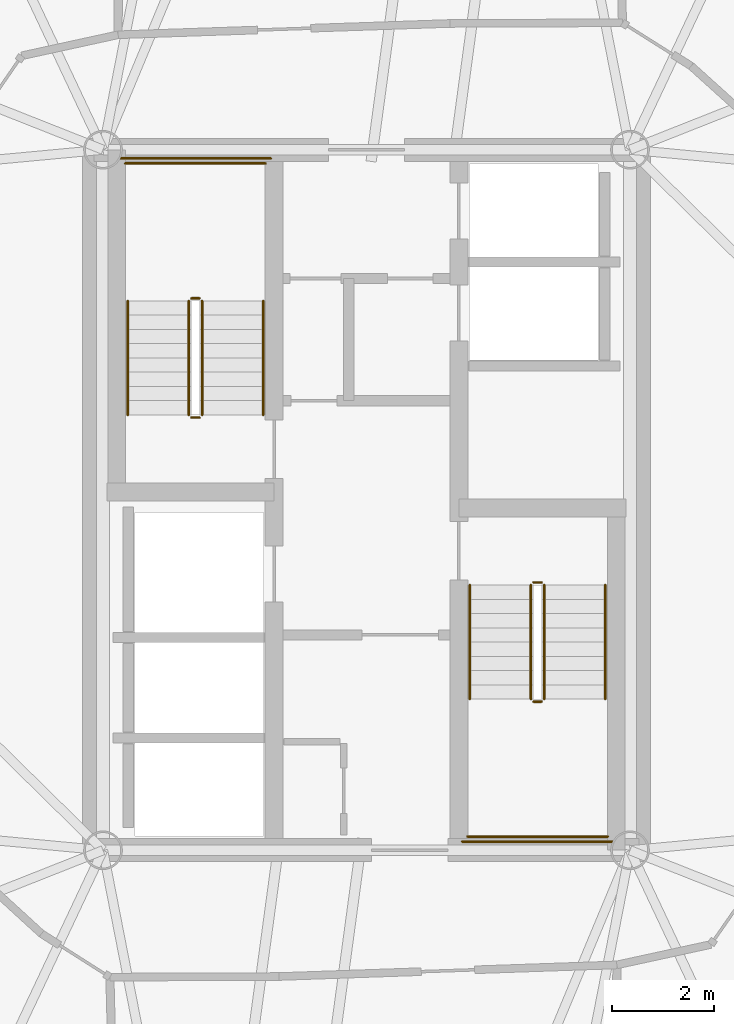
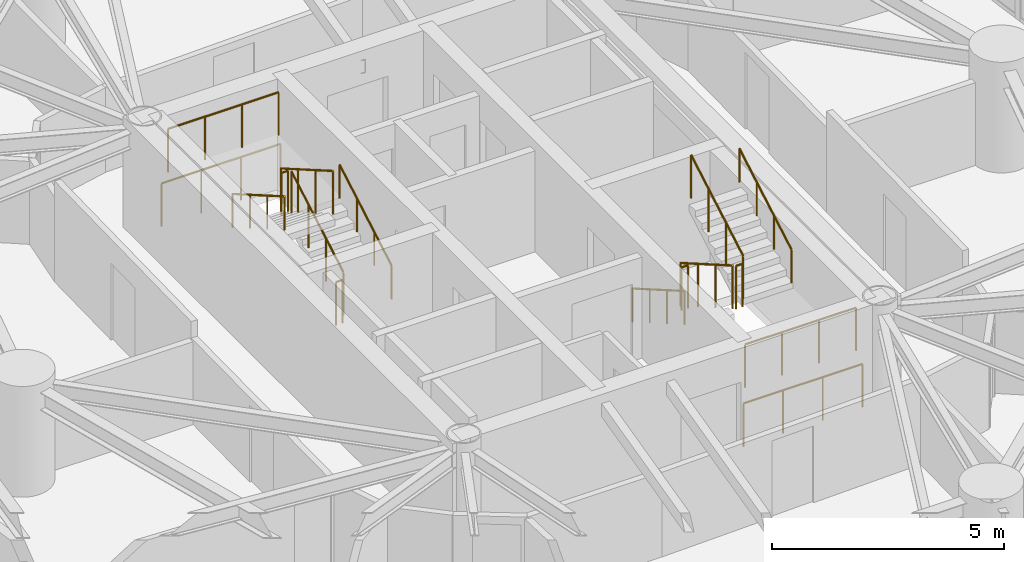
# One storey, part 16 of 17: 16 railings.
"""IFC4 building model written with IfcOpenShell, lengths in metres."""

from ifc_helpers import new_model, si_unit, direction, frame, origin, origin_2d, place, context, subcontext, project, spatial, circle, extrude, material, type_object, element, save


model = new_model("IFC4")

# Units and contexts
model_context = context("Model", 3, precision=1e-05, world=origin(), true_north=direction((0.0, 1.0)))
body_context = subcontext(model_context, "Body", "Model", "MODEL_VIEW")
ifc_project = project(units=[si_unit("LENGTHUNIT", "METRE"), si_unit("AREAUNIT", "SQUARE_METRE"), si_unit("VOLUMEUNIT", "CUBIC_METRE"), si_unit("PLANEANGLEUNIT", "RADIAN"), si_unit("MASSUNIT", "GRAM", prefix="KILO")], contexts=[model_context])

# Site, building, storey
site_placement = place(None, origin())
site = spatial("IfcSite", under=ifc_project, at=site_placement, CompositionType="ELEMENT")
building_placement = place(site_placement, origin())
building = spatial("IfcBuilding", under=site, at=building_placement, Name="Cununo Teusaquillo Station Towers", CompositionType="ELEMENT")
storey_placement = place(building_placement, frame((0.0, 0.0, 81.7900390625)))
storey = spatial("IfcBuildingStorey", under=building, at=storey_placement, Name="L25", CompositionType="ELEMENT", Elevation=81.7900390625)

# Railings
ifc_material_1 = material(Name="Steel EN 10025-2 S355J2", Category="steel")
railing_type_1 = type_object("IfcRailingType", Name="RL-INT-GUARD", PredefinedType="GUARDRAIL", material=ifc_material_1)
railing_1_placement = place(storey_placement, frame((13.27001953125, 26.169921875, 0.16162109375)))
element("IfcRailing", 1, at=railing_1_placement, inside=storey, type_object=railing_type_1, Name="L25 ST-T1-1 stair guard 1", PredefinedType="GUARDRAIL", context=body_context, shape_type="SweptSolid", body=[
    extrude(circle(Radius=0.02392578125, at=origin_2d()), frame((0.0, 0.0, 1.1259765625), z_axis=(0.0, 0.865992244559, 0.500057429065), x_axis=(-1.0, 0.0, 0.0)), (0.0, 0.0, 1.0), 2.586669921875),
    extrude(circle(Radius=0.02099609375, at=origin_2d()), origin(), (0.0, 0.0, 1.0), 1.101806640625),
    extrude(circle(Radius=0.02099609375, at=origin_2d()), frame((0.0, 0.74658203125, 0.43115234375)), (0.0, 0.0, 1.0), 1.101806640625),
    extrude(circle(Radius=0.02099609375, at=origin_2d()), frame((0.0, 1.493408203125, 0.8623046875)), (0.0, 0.0, 1.0), 1.101806640625),
    extrude(circle(Radius=0.02099609375, at=origin_2d()), frame((0.0, 2.239990234375, 1.29345703125)), (0.0, 0.0, 1.0), 1.101806640625),
])
railing_2_placement = place(storey_placement, frame((13.219970703125, 28.4599609375, 1.455078125)))
element("IfcRailing", 2, at=railing_2_placement, inside=storey, type_object=railing_type_1, Name="L25 ST-T1-1 stair guard 2", PredefinedType="GUARDRAIL", context=body_context, shape_type="SweptSolid", body=[
    extrude(circle(Radius=0.02392578125, at=origin_2d()), frame((0.0, 0.0, 1.1259765625), z_axis=(-1.0, 0.0, 0.0), x_axis=(0.0, -1.0, 0.0)), (0.0, 0.0, 1.0), 0.159912109375),
    extrude(circle(Radius=0.02099609375, at=origin_2d()), origin(), (0.0, 0.0, 1.0), 1.101806640625),
    extrude(circle(Radius=0.02099609375, at=origin_2d()), frame((-0.159912109375, 0.0, 0.0)), (0.0, 0.0, 1.0), 1.101806640625),
])
railing_3_placement = place(storey_placement, frame((14.52001953125, 31.110107421875, 1.455078125)))
element("IfcRailing", 3, at=railing_3_placement, inside=storey, type_object=railing_type_1, Name="L25 ST-T1-1 stair guard 3", PredefinedType="GUARDRAIL", context=body_context, shape_type="SweptSolid", body=[
    extrude(circle(Radius=0.02392578125, at=origin_2d()), frame((0.0, 0.0, 1.1259765625), z_axis=(-1.0, 0.0, 0.0), x_axis=(0.0, -1.0, 0.0)), (0.0, 0.0, 1.0), 2.760009765625),
    extrude(circle(Radius=0.02099609375, at=origin_2d()), origin(), (0.0, 0.0, 1.0), 1.101806640625),
    extrude(circle(Radius=0.02099609375, at=origin_2d()), frame((-0.919921875, 0.0, 0.0)), (0.0, 0.0, 1.0), 1.101806640625),
    extrude(circle(Radius=0.02099609375, at=origin_2d()), frame((-1.840087890625, 0.0, 0.0)), (0.0, 0.0, 1.0), 1.101806640625),
    extrude(circle(Radius=0.02099609375, at=origin_2d()), frame((-2.760009765625, 0.0, 0.0)), (0.0, 0.0, 1.0), 1.101806640625),
])
railing_4_placement = place(storey_placement, frame((13.010009765625, 28.409912109375, 1.61669921875)))
element("IfcRailing", 4, at=railing_4_placement, inside=storey, type_object=railing_type_1, Name="L25 ST-T1-1 stair guard 4", PredefinedType="GUARDRAIL", context=body_context, shape_type="SweptSolid", body=[
    extrude(circle(Radius=0.02392578125, at=origin_2d()), frame((0.0, 0.0, 1.1259765625), z_axis=(0.0, -0.866033117094, 0.499986639918), x_axis=(1.0, 0.0, 0.0)), (0.0, 0.0, 1.0), 2.58642578125),
    extrude(circle(Radius=0.02099609375, at=origin_2d()), origin(), (0.0, 0.0, 1.0), 1.101806640625),
    extrude(circle(Radius=0.02099609375, at=origin_2d()), frame((0.0, -0.74658203125, 0.43115234375)), (0.0, 0.0, 1.0), 1.101806640625),
    extrude(circle(Radius=0.02099609375, at=origin_2d()), frame((0.0, -1.493408203125, 0.862060546875)), (0.0, 0.0, 1.0), 1.101806640625),
    extrude(circle(Radius=0.02099609375, at=origin_2d()), frame((0.0, -2.239990234375, 1.293212890625)), (0.0, 0.0, 1.0), 1.101806640625),
])
railing_5_placement = place(storey_placement, frame((13.219970703125, 26.1201171875, 0.0)))
element("IfcRailing", 5, at=railing_5_placement, inside=storey, type_object=railing_type_1, Name="L25 ST-T1-1 stair guard 5", PredefinedType="GUARDRAIL", context=body_context, shape_type="SweptSolid", body=[
    extrude(circle(Radius=0.02392578125, at=origin_2d()), frame((0.0, 0.0, 1.1259765625), z_axis=(-1.0, 0.0, 0.0), x_axis=(0.0, -1.0, 0.0)), (0.0, 0.0, 1.0), 0.159912109375),
    extrude(circle(Radius=0.02099609375, at=origin_2d()), origin(), (0.0, 0.0, 1.0), 1.101806640625),
    extrude(circle(Radius=0.02099609375, at=origin_2d()), frame((-0.159912109375, 0.0, 0.0)), (0.0, 0.0, 1.0), 1.101806640625),
])
railing_6_placement = place(storey_placement, frame((14.6201171875, 31.2099609375, 0.0)))
element("IfcRailing", 6, at=railing_6_placement, inside=storey, type_object=railing_type_1, Name="L25 ST-T1-1 stair guard 6", PredefinedType="GUARDRAIL", context=body_context, shape_type="SweptSolid", body=[
    extrude(circle(Radius=0.02392578125, at=origin_2d()), frame((0.0, 0.0, 1.1259765625), z_axis=(-1.0, 0.0, 0.0), x_axis=(0.0, -1.0, 0.0)), (0.0, 0.0, 1.0), 2.960205078125),
    extrude(circle(Radius=0.02099609375, at=origin_2d()), origin(), (0.0, 0.0, 1.0), 1.101806640625),
    extrude(circle(Radius=0.02099609375, at=origin_2d()), frame((-0.98681640625, 0.0, 0.0)), (0.0, 0.0, 1.0), 1.101806640625),
    extrude(circle(Radius=0.02099609375, at=origin_2d()), frame((-1.973388671875, 0.0, 0.0)), (0.0, 0.0, 1.0), 1.101806640625),
    extrude(circle(Radius=0.02099609375, at=origin_2d()), frame((-2.960205078125, 0.0, 0.0)), (0.0, 0.0, 1.0), 1.101806640625),
])
railing_7_placement = place(storey_placement, frame((19.72998046875, 22.830078125, 0.16162109375)))
element("IfcRailing", 7, at=railing_7_placement, inside=storey, type_object=railing_type_1, Name="L25 ST-T1-2 stair guard 1", PredefinedType="GUARDRAIL", context=body_context, shape_type="SweptSolid", body=[
    extrude(circle(Radius=0.02392578125, at=origin_2d()), frame((0.0, 0.0, 1.1259765625), z_axis=(0.0, -0.865992244559, 0.500057429065), x_axis=(1.0, 0.0, 0.0)), (0.0, 0.0, 1.0), 2.586669921875),
    extrude(circle(Radius=0.02099609375, at=origin_2d()), origin(), (0.0, 0.0, 1.0), 1.101806640625),
    extrude(circle(Radius=0.02099609375, at=origin_2d()), frame((0.0, -0.74658203125, 0.43115234375)), (0.0, 0.0, 1.0), 1.101806640625),
    extrude(circle(Radius=0.02099609375, at=origin_2d()), frame((0.0, -1.493408203125, 0.8623046875)), (0.0, 0.0, 1.0), 1.101806640625),
    extrude(circle(Radius=0.02099609375, at=origin_2d()), frame((0.0, -2.239990234375, 1.29345703125)), (0.0, 0.0, 1.0), 1.101806640625),
])
railing_8_placement = place(storey_placement, frame((19.780029296875, 20.5400390625, 1.455078125)))
element("IfcRailing", 8, at=railing_8_placement, inside=storey, type_object=railing_type_1, Name="L25 ST-T1-2 stair guard 2", PredefinedType="GUARDRAIL", context=body_context, shape_type="SweptSolid", body=[
    extrude(circle(Radius=0.02392578125, at=origin_2d()), frame((0.0, 0.0, 1.1259765625), z_axis=(1.0, 0.0, 0.0), x_axis=(0.0, 1.0, 0.0)), (0.0, 0.0, 1.0), 0.159912109375),
    extrude(circle(Radius=0.02099609375, at=origin_2d()), origin(), (0.0, 0.0, 1.0), 1.101806640625),
    extrude(circle(Radius=0.02099609375, at=origin_2d()), frame((0.159912109375, 0.0, 0.0)), (0.0, 0.0, 1.0), 1.101806640625),
])
railing_9_placement = place(storey_placement, frame((18.47998046875, 17.889892578125, 1.455078125)))
element("IfcRailing", 9, at=railing_9_placement, inside=storey, type_object=railing_type_1, Name="L25 ST-T1-2 stair guard 3", PredefinedType="GUARDRAIL", context=body_context, shape_type="SweptSolid", body=[
    extrude(circle(Radius=0.02392578125, at=origin_2d()), frame((0.0, 0.0, 1.1259765625), z_axis=(1.0, 0.0, 0.0), x_axis=(0.0, 1.0, 0.0)), (0.0, 0.0, 1.0), 2.760009765625),
    extrude(circle(Radius=0.02099609375, at=origin_2d()), origin(), (0.0, 0.0, 1.0), 1.101806640625),
    extrude(circle(Radius=0.02099609375, at=origin_2d()), frame((0.919921875, 0.0, 0.0)), (0.0, 0.0, 1.0), 1.101806640625),
    extrude(circle(Radius=0.02099609375, at=origin_2d()), frame((1.840087890625, 0.0, 0.0)), (0.0, 0.0, 1.0), 1.101806640625),
    extrude(circle(Radius=0.02099609375, at=origin_2d()), frame((2.760009765625, 0.0, 0.0)), (0.0, 0.0, 1.0), 1.101806640625),
])
railing_10_placement = place(storey_placement, frame((19.989990234375, 20.590087890625, 1.61669921875)))
element("IfcRailing", 10, at=railing_10_placement, inside=storey, type_object=railing_type_1, Name="L25 ST-T1-2 stair guard 4", PredefinedType="GUARDRAIL", context=body_context, shape_type="SweptSolid", body=[
    extrude(circle(Radius=0.02392578125, at=origin_2d()), frame((0.0, 0.0, 1.1259765625), z_axis=(0.0, 0.866033117094, 0.499986639918), x_axis=(-1.0, 0.0, 0.0)), (0.0, 0.0, 1.0), 2.58642578125),
    extrude(circle(Radius=0.02099609375, at=origin_2d()), origin(), (0.0, 0.0, 1.0), 1.101806640625),
    extrude(circle(Radius=0.02099609375, at=origin_2d()), frame((0.0, 0.74658203125, 0.43115234375)), (0.0, 0.0, 1.0), 1.101806640625),
    extrude(circle(Radius=0.02099609375, at=origin_2d()), frame((0.0, 1.493408203125, 0.862060546875)), (0.0, 0.0, 1.0), 1.101806640625),
    extrude(circle(Radius=0.02099609375, at=origin_2d()), frame((0.0, 2.239990234375, 1.293212890625)), (0.0, 0.0, 1.0), 1.101806640625),
])
railing_11_placement = place(storey_placement, frame((19.780029296875, 22.8798828125, 0.0)))
element("IfcRailing", 11, at=railing_11_placement, inside=storey, type_object=railing_type_1, Name="L25 ST-T1-2 stair guard 5", PredefinedType="GUARDRAIL", context=body_context, shape_type="SweptSolid", body=[
    extrude(circle(Radius=0.02392578125, at=origin_2d()), frame((0.0, 0.0, 1.1259765625), z_axis=(1.0, 0.0, 0.0), x_axis=(0.0, 1.0, 0.0)), (0.0, 0.0, 1.0), 0.159912109375),
    extrude(circle(Radius=0.02099609375, at=origin_2d()), origin(), (0.0, 0.0, 1.0), 1.101806640625),
    extrude(circle(Radius=0.02099609375, at=origin_2d()), frame((0.159912109375, 0.0, 0.0)), (0.0, 0.0, 1.0), 1.101806640625),
])
railing_12_placement = place(storey_placement, frame((18.3798828125, 17.7900390625, 0.0)))
element("IfcRailing", 12, at=railing_12_placement, inside=storey, type_object=railing_type_1, Name="L25 ST-T1-2 stair guard 6", PredefinedType="GUARDRAIL", context=body_context, shape_type="SweptSolid", body=[
    extrude(circle(Radius=0.02392578125, at=origin_2d()), frame((0.0, 0.0, 1.1259765625), z_axis=(1.0, 0.0, 0.0), x_axis=(0.0, 1.0, 0.0)), (0.0, 0.0, 1.0), 2.960205078125),
    extrude(circle(Radius=0.02099609375, at=origin_2d()), origin(), (0.0, 0.0, 1.0), 1.101806640625),
    extrude(circle(Radius=0.02099609375, at=origin_2d()), frame((0.98681640625, 0.0, 0.0)), (0.0, 0.0, 1.0), 1.101806640625),
    extrude(circle(Radius=0.02099609375, at=origin_2d()), frame((1.973388671875, 0.0, 0.0)), (0.0, 0.0, 1.0), 1.101806640625),
    extrude(circle(Radius=0.02099609375, at=origin_2d()), frame((2.960205078125, 0.0, 0.0)), (0.0, 0.0, 1.0), 1.101806640625),
])
ifc_material_2 = material(Name="Steel EN 10025-2 S355J2", Category="steel")
railing_type_2 = type_object("IfcRailingType", Name="RL-INT-HRAIL", PredefinedType="HANDRAIL", material=ifc_material_2)
railing_13_placement = place(storey_placement, frame((14.469970703125, 26.169921875, 0.16162109375)))
element("IfcRailing", 13, at=railing_13_placement, inside=storey, type_object=railing_type_2, Name="L25 ST-T1-1 stair handrail 1", PredefinedType="HANDRAIL", context=body_context, shape_type="SweptSolid", body=[
    extrude(circle(Radius=0.02392578125, at=origin_2d()), frame((0.0, 0.0, 0.8759765625), z_axis=(0.0, 0.865992244559, 0.500057429065), x_axis=(-1.0, 0.0, 0.0)), (0.0, 0.0, 1.0), 2.586669921875),
    extrude(circle(Radius=0.02099609375, at=origin_2d()), origin(), (0.0, 0.0, 1.0), 0.851806640625),
    extrude(circle(Radius=0.02099609375, at=origin_2d()), frame((0.0, 0.74658203125, 0.43115234375)), (0.0, 0.0, 1.0), 0.851806640625),
    extrude(circle(Radius=0.02099609375, at=origin_2d()), frame((0.0, 1.493408203125, 0.8623046875)), (0.0, 0.0, 1.0), 0.851806640625),
    extrude(circle(Radius=0.02099609375, at=origin_2d()), frame((0.0, 2.239990234375, 1.29345703125)), (0.0, 0.0, 1.0), 0.851806640625),
])
railing_14_placement = place(storey_placement, frame((11.81005859375, 28.409912109375, 1.61669921875)))
element("IfcRailing", 14, at=railing_14_placement, inside=storey, type_object=railing_type_2, Name="L25 ST-T1-1 stair handrail 2", PredefinedType="HANDRAIL", context=body_context, shape_type="SweptSolid", body=[
    extrude(circle(Radius=0.02392578125, at=origin_2d()), frame((0.0, 0.0, 0.8759765625), z_axis=(0.0, -0.866033117094, 0.499986639918), x_axis=(1.0, 0.0, 0.0)), (0.0, 0.0, 1.0), 2.58642578125),
    extrude(circle(Radius=0.02099609375, at=origin_2d()), origin(), (0.0, 0.0, 1.0), 0.851806640625),
    extrude(circle(Radius=0.02099609375, at=origin_2d()), frame((0.0, -0.74658203125, 0.43115234375)), (0.0, 0.0, 1.0), 0.851806640625),
    extrude(circle(Radius=0.02099609375, at=origin_2d()), frame((0.0, -1.493408203125, 0.862060546875)), (0.0, 0.0, 1.0), 0.851806640625),
    extrude(circle(Radius=0.02099609375, at=origin_2d()), frame((0.0, -2.239990234375, 1.293212890625)), (0.0, 0.0, 1.0), 0.851806640625),
])
railing_15_placement = place(storey_placement, frame((18.530029296875, 22.830078125, 0.16162109375)))
element("IfcRailing", 15, at=railing_15_placement, inside=storey, type_object=railing_type_2, Name="L25 ST-T1-2 stair handrail 1", PredefinedType="HANDRAIL", context=body_context, shape_type="SweptSolid", body=[
    extrude(circle(Radius=0.02392578125, at=origin_2d()), frame((0.0, 0.0, 0.8759765625), z_axis=(0.0, -0.865992244559, 0.500057429065), x_axis=(1.0, 0.0, 0.0)), (0.0, 0.0, 1.0), 2.586669921875),
    extrude(circle(Radius=0.02099609375, at=origin_2d()), origin(), (0.0, 0.0, 1.0), 0.851806640625),
    extrude(circle(Radius=0.02099609375, at=origin_2d()), frame((0.0, -0.74658203125, 0.43115234375)), (0.0, 0.0, 1.0), 0.851806640625),
    extrude(circle(Radius=0.02099609375, at=origin_2d()), frame((0.0, -1.493408203125, 0.8623046875)), (0.0, 0.0, 1.0), 0.851806640625),
    extrude(circle(Radius=0.02099609375, at=origin_2d()), frame((0.0, -2.239990234375, 1.29345703125)), (0.0, 0.0, 1.0), 0.851806640625),
])
railing_16_placement = place(storey_placement, frame((21.18994140625, 20.590087890625, 1.61669921875)))
element("IfcRailing", 16, at=railing_16_placement, inside=storey, type_object=railing_type_2, Name="L25 ST-T1-2 stair handrail 2", PredefinedType="HANDRAIL", context=body_context, shape_type="SweptSolid", body=[
    extrude(circle(Radius=0.02392578125, at=origin_2d()), frame((0.0, 0.0, 0.8759765625), z_axis=(0.0, 0.866033117094, 0.499986639918), x_axis=(-1.0, 0.0, 0.0)), (0.0, 0.0, 1.0), 2.58642578125),
    extrude(circle(Radius=0.02099609375, at=origin_2d()), origin(), (0.0, 0.0, 1.0), 0.851806640625),
    extrude(circle(Radius=0.02099609375, at=origin_2d()), frame((0.0, 0.74658203125, 0.43115234375)), (0.0, 0.0, 1.0), 0.851806640625),
    extrude(circle(Radius=0.02099609375, at=origin_2d()), frame((0.0, 1.493408203125, 0.862060546875)), (0.0, 0.0, 1.0), 0.851806640625),
    extrude(circle(Radius=0.02099609375, at=origin_2d()), frame((0.0, 2.239990234375, 1.293212890625)), (0.0, 0.0, 1.0), 0.851806640625),
])

save(model, "model.ifc")
